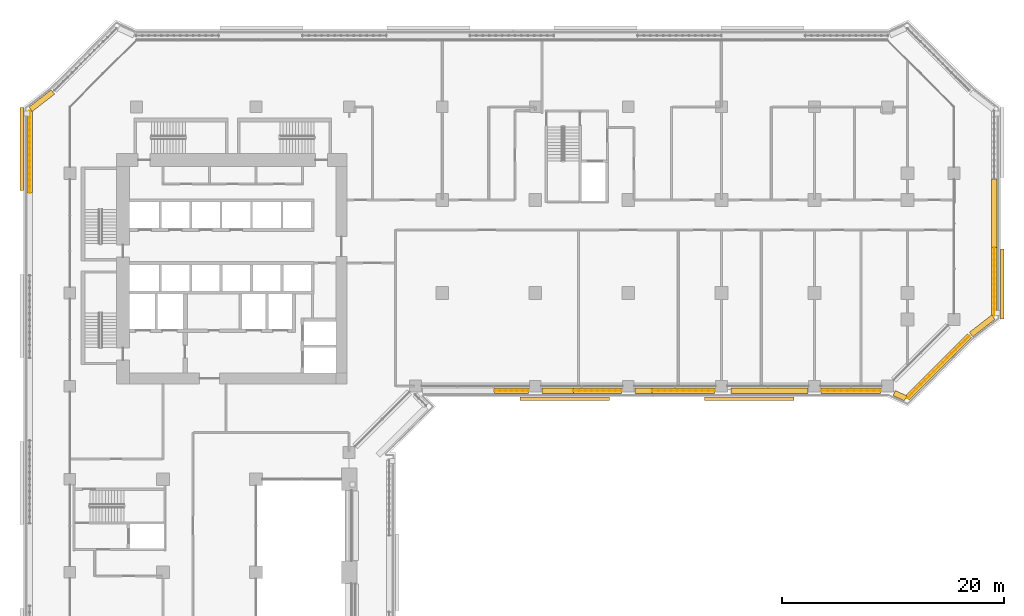
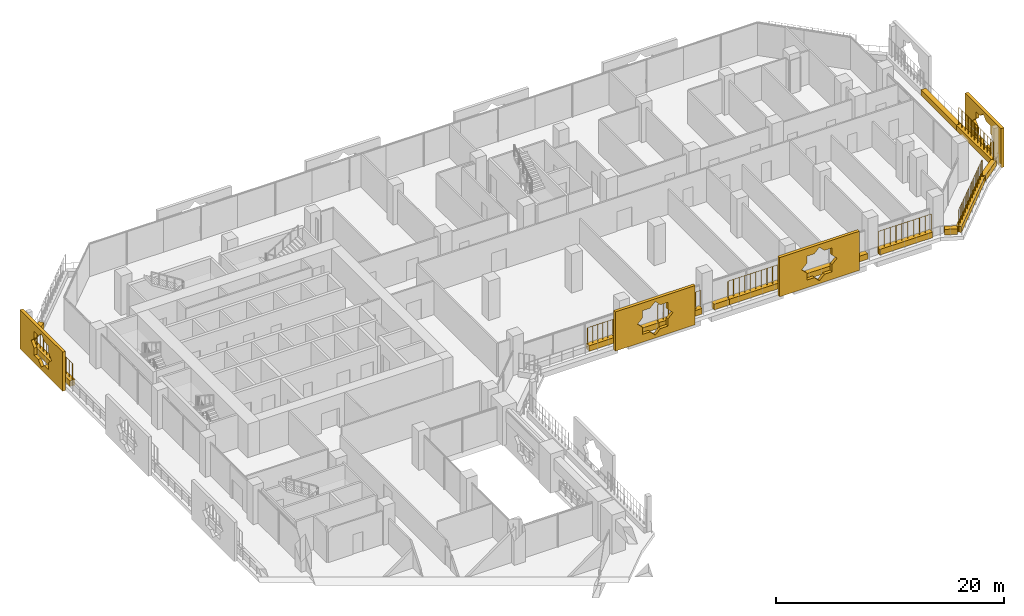
# One storey, part 24 of 27: 18 coverings, 7 railings.
"""IFC4 building model written with IfcOpenShell, lengths in metres."""

from ifc_helpers import new_model, si_unit, direction, frame, origin, origin_2d, place, context, subcontext, project, spatial, polyline, rectangle, circle, outline, extrude, material, material_profile, profile_set, type_object, element, save


model = new_model("IFC4")

# Units and contexts
model_context = context("Model", 3, precision=1e-05, world=origin(), true_north=direction((0.0, 1.0)))
body_context = subcontext(model_context, "Body", "Model", "MODEL_VIEW")
ifc_project = project(units=[si_unit("LENGTHUNIT", "METRE"), si_unit("AREAUNIT", "SQUARE_METRE"), si_unit("VOLUMEUNIT", "CUBIC_METRE"), si_unit("PLANEANGLEUNIT", "RADIAN"), si_unit("MASSUNIT", "GRAM", prefix="KILO")], contexts=[model_context])

# Site, building, storey
site_placement = place(None, origin())
site = spatial("IfcSite", under=ifc_project, at=site_placement, CompositionType="ELEMENT")
building_placement = place(site_placement, origin())
building = spatial("IfcBuilding", under=site, at=building_placement, Name="Kawkab Arch Medical Tower", CompositionType="ELEMENT")
storey_placement = place(building_placement, frame((0.0, 0.0, 103.0)))
storey = spatial("IfcBuildingStorey", under=building, at=storey_placement, Name="L23", CompositionType="ELEMENT", Elevation=103.0)

# Coverings
ifc_material_1 = material(Name="Bronze anodised aluminium mashrabiya panel, eight-point star pattern", Category="aluminium")
ifc_material_profile_1 = material_profile(ifc_material_1, outline(polyline([(-3.14990234375, -2.10009765625), (3.14990234375, -2.10009765625), (3.14990234375, 2.10009765625), (-3.14990234375, 2.10009765625), (-3.14990234375, -2.10009765625)]), holes=[polyline([(1.800048828125, 0.0), (1.272705078125, 0.527099609375), (1.272705078125, 1.272705078125), (0.527099609375, 1.272705078125), (0.0, 1.800048828125), (-0.527099609375, 1.272705078125), (-1.272705078125, 1.272705078125), (-1.272705078125, 0.527099609375), (-1.800048828125, 0.0), (-1.272705078125, -0.527099609375), (-1.272705078125, -1.272705078125), (-0.527099609375, -1.272705078125), (0.0, -1.800048828125), (0.527099609375, -1.272705078125), (1.272705078125, -1.272705078125), (1.272705078125, -0.527099609375), (1.800048828125, 0.0)])]), Name="Mashrabiya panel 6300x4200")
ifc_profile_set_1 = profile_set([ifc_material_profile_1], Name="Bronze anodised aluminium mashrabiya panel, eight-point star pattern")
covering_type_1 = type_object("IfcCoveringType", Name="Mashrabiya panel 6300 x 4200", PredefinedType="USERDEFINED", material=ifc_profile_set_1)
covering_1_placement = place(storey_placement, frame((84.0, -15.976806640625, 1.699951171875), z_axis=(1.0, 0.0, 0.0), x_axis=(0.0, 1.0, 0.0)))
element("IfcCovering", 1, at=covering_1_placement, inside=storey, type_object=covering_type_1, Name="Mashrabiya panel L23.LOG-01-02.11", ObjectType="SCREEN", PredefinedType="USERDEFINED", context=body_context, shape_type="SweptSolid", body=[
    extrude(outline(polyline([(-3.14990234375, -2.10009765625), (3.14990234375, -2.10009765625), (3.14990234375, 2.10009765625), (-3.14990234375, 2.10009765625), (-3.14990234375, -2.10009765625)]), holes=[polyline([(1.800048828125, 0.0), (1.272705078125, 0.527099609375), (1.272705078125, 1.272705078125), (0.527099609375, 1.272705078125), (0.0, 1.800048828125), (-0.527099609375, 1.272705078125), (-1.272705078125, 1.272705078125), (-1.272705078125, 0.527099609375), (-1.800048828125, 0.0), (-1.272705078125, -0.527099609375), (-1.272705078125, -1.272705078125), (-0.527099609375, -1.272705078125), (0.0, -1.800048828125), (0.527099609375, -1.272705078125), (1.272705078125, -1.272705078125), (1.272705078125, -0.527099609375), (1.800048828125, 0.0)])]), origin(), (0.0, 0.0, 1.0), 0.300048828125),
])
ifc_material_2 = material(Name="Bronze anodised aluminium mashrabiya panel, eight-point star pattern", Category="aluminium")
ifc_material_profile_2 = material_profile(ifc_material_2, outline(polyline([(-3.75, -2.10009765625), (3.75, -2.10009765625), (3.75, 2.10009765625), (-3.75, 2.10009765625), (-3.75, -2.10009765625)]), holes=[polyline([(1.800048828125, 0.0), (1.272705078125, 0.527099609375), (1.272705078125, 1.272705078125), (0.527099609375, 1.272705078125), (0.0, 1.800048828125), (-0.527099609375, 1.272705078125), (-1.272705078125, 1.272705078125), (-1.272705078125, 0.527099609375), (-1.800048828125, 0.0), (-1.272705078125, -0.527099609375), (-1.272705078125, -1.272705078125), (-0.527099609375, -1.272705078125), (0.0, -1.800048828125), (0.527099609375, -1.272705078125), (1.272705078125, -1.272705078125), (1.272705078125, -0.527099609375), (1.800048828125, 0.0)])]), Name="Mashrabiya panel 7500x4200")
ifc_profile_set_2 = profile_set([ifc_material_profile_2], Name="Bronze anodised aluminium mashrabiya panel, eight-point star pattern")
covering_type_2 = type_object("IfcCoveringType", Name="Mashrabiya panel 7500 x 4200", PredefinedType="USERDEFINED", material=ifc_profile_set_2)
covering_2_placement = place(storey_placement, frame((-4.199951171875, -3.795654296875, 1.699951171875), z_axis=(-1.0, 0.0, 0.0), x_axis=(0.0, -1.0, 0.0)))
element("IfcCovering", 2, at=covering_2_placement, inside=storey, type_object=covering_type_2, Name="Mashrabiya panel L23.LOG-01-02.5", ObjectType="SCREEN", PredefinedType="USERDEFINED", context=body_context, shape_type="SweptSolid", body=[
    extrude(outline(polyline([(-3.75, -2.10009765625), (3.75, -2.10009765625), (3.75, 2.10009765625), (-3.75, 2.10009765625), (-3.75, -2.10009765625)]), holes=[polyline([(1.800048828125, 0.0), (1.272705078125, 0.527099609375), (1.272705078125, 1.272705078125), (0.527099609375, 1.272705078125), (0.0, 1.800048828125), (-0.527099609375, 1.272705078125), (-1.272705078125, 1.272705078125), (-1.272705078125, 0.527099609375), (-1.800048828125, 0.0), (-1.272705078125, -0.527099609375), (-1.272705078125, -1.272705078125), (-0.527099609375, -1.272705078125), (0.0, -1.800048828125), (0.527099609375, -1.272705078125), (1.272705078125, -1.272705078125), (1.272705078125, -0.527099609375), (1.800048828125, 0.0)])]), origin(), (0.0, 0.0, 1.0), 0.300048828125),
])
ifc_material_3 = material(Name="Bronze anodised aluminium mashrabiya panel, eight-point star pattern", Category="aluminium")
ifc_material_profile_3 = material_profile(ifc_material_3, outline(polyline([(-4.050048828125, -2.10009765625), (4.050048828125, -2.10009765625), (4.050048828125, 2.10009765625), (-4.050048828125, 2.10009765625), (-4.050048828125, -2.10009765625)]), holes=[polyline([(1.800048828125, 0.0), (1.272705078125, 0.527099609375), (1.272705078125, 1.272705078125), (0.527099609375, 1.272705078125), (0.0, 1.800048828125), (-0.527099609375, 1.272705078125), (-1.272705078125, 1.272705078125), (-1.272705078125, 0.527099609375), (-1.800048828125, 0.0), (-1.272705078125, -0.527099609375), (-1.272705078125, -1.272705078125), (-0.527099609375, -1.272705078125), (0.0, -1.800048828125), (0.527099609375, -1.272705078125), (1.272705078125, -1.272705078125), (1.272705078125, -0.527099609375), (1.800048828125, 0.0)])]), Name="Mashrabiya panel 8100x4200")
ifc_profile_set_3 = profile_set([ifc_material_profile_3], Name="Bronze anodised aluminium mashrabiya panel, eight-point star pattern")
covering_type_3 = type_object("IfcCoveringType", Name="Mashrabiya panel 8100 x 4200", PredefinedType="USERDEFINED", material=ifc_profile_set_3)
for number, where, z_axis, x_axis, name in (
    (3, (61.31640625, -26.199951171875, 1.699951171875), (0.0, -1.0, 0.0), (1.0, 0.0, 0.0), "Mashrabiya panel L23.LOG-01-02.12"),
    (4, (44.66845703125, -26.199951171875, 1.699951171875), (0.0, -1.0, 0.0), (1.0, 0.0, 0.0), "Mashrabiya panel L23.LOG-01-02.13"),
):
    element("IfcCovering", number, at=place(storey_placement, frame(where, z_axis=z_axis, x_axis=x_axis)), inside=storey, type_object=covering_type_3, Name=name, ObjectType="SCREEN", PredefinedType="USERDEFINED", context=body_context, shape_type="SweptSolid", body=[
        extrude(outline(polyline([(-4.050048828125, -2.10009765625), (4.050048828125, -2.10009765625), (4.050048828125, 2.10009765625), (-4.050048828125, 2.10009765625), (-4.050048828125, -2.10009765625)]), holes=[polyline([(1.800048828125, 0.0), (1.272705078125, 0.527099609375), (1.272705078125, 1.272705078125), (0.527099609375, 1.272705078125), (0.0, 1.800048828125), (-0.527099609375, 1.272705078125), (-1.272705078125, 1.272705078125), (-1.272705078125, 0.527099609375), (-1.800048828125, 0.0), (-1.272705078125, -0.527099609375), (-1.272705078125, -1.272705078125), (-0.527099609375, -1.272705078125), (0.0, -1.800048828125), (0.527099609375, -1.272705078125), (1.272705078125, -1.272705078125), (1.272705078125, -0.527099609375), (1.800048828125, 0.0)])]), origin(), (0.0, 0.0, 1.0), 0.300048828125),
    ])
ifc_material_4 = material(Name="Planting soil in a precast trough", Category="concrete")
ifc_material_profile_4 = material_profile(ifc_material_4, rectangle(XDim=0.5, YDim=0.60009765625, at=origin_2d()), Name="Trough 500x600")
ifc_profile_set_4 = profile_set([ifc_material_profile_4], Name="Planting soil in a precast trough")
covering_type_4 = type_object("IfcCoveringType", Name="Planter trough 500 x 600", PredefinedType="USERDEFINED", material=ifc_profile_set_4)
covering_3_placement = place(storey_placement, frame((-3.6201171875, -7.7451171875, 0.300048828125), z_axis=(0.0, 1.0, 0.0), x_axis=(-1.0, 0.0, 0.0)))
element("IfcCovering", 5, at=covering_3_placement, inside=storey, type_object=covering_type_4, Name="Planter L23.LOG-01-02.13", ObjectType="PLANTER", PredefinedType="USERDEFINED", context=body_context, shape_type="SweptSolid", body=[
    extrude(rectangle(XDim=0.5, YDim=0.60009765625, at=origin_2d()), origin(), (0.0, 0.0, 1.0), 7.361083984375),
])
covering_4_placement = place(storey_placement, frame((-3.541015625, -0.221923828125, 0.300048828125), z_axis=(0.789274742246, 0.61404021143, 0.0), x_axis=(-0.61404021143, 0.789274742246, 0.0)))
element("IfcCovering", 6, at=covering_4_placement, inside=storey, type_object=covering_type_4, Name="Planter L23.LOG-01-02.14", ObjectType="PLANTER", PredefinedType="USERDEFINED", context=body_context, shape_type="SweptSolid", body=[
    extrude(rectangle(XDim=0.5, YDim=0.60009765625, at=origin_2d()), origin(), (0.0, 0.0, 1.0), 2.54541015625),
])
covering_5_placement = place(storey_placement, frame((83.419921875, -6.4951171875, 0.300048828125), z_axis=(0.0, -1.0, 0.0), x_axis=(1.0, 0.0, 0.0)))
element("IfcCovering", 7, at=covering_5_placement, inside=storey, type_object=covering_type_4, Name="Planter L23.LOG-01-02.30", ObjectType="PLANTER", PredefinedType="USERDEFINED", context=body_context, shape_type="SweptSolid", body=[
    extrude(rectangle(XDim=0.5, YDim=0.60009765625, at=origin_2d()), origin(), (0.0, 0.0, 1.0), 6.2099609375),
])
covering_6_placement = place(storey_placement, frame((83.419921875, -12.705078125, 0.300048828125), z_axis=(0.0, -1.0, 0.0), x_axis=(1.0, 0.0, 0.0)))
element("IfcCovering", 8, at=covering_6_placement, inside=storey, type_object=covering_type_4, Name="Planter L23.LOG-01-02.31", ObjectType="PLANTER", PredefinedType="USERDEFINED", context=body_context, shape_type="SweptSolid", body=[
    extrude(rectangle(XDim=0.5, YDim=0.60009765625, at=origin_2d()), origin(), (0.0, 0.0, 1.0), 6.11083984375),
])
covering_7_placement = place(storey_placement, frame((83.341064453125, -18.97802734375, 0.300048828125), z_axis=(-0.789274742246, -0.61404021143, 0.0), x_axis=(0.61404021143, -0.789274742246, 0.0)))
element("IfcCovering", 9, at=covering_7_placement, inside=storey, type_object=covering_type_4, Name="Planter L23.LOG-01-02.32", ObjectType="PLANTER", PredefinedType="USERDEFINED", context=body_context, shape_type="SweptSolid", body=[
    extrude(rectangle(XDim=0.5, YDim=0.60009765625, at=origin_2d()), origin(), (0.0, 0.0, 1.0), 2.54541015625),
])
covering_8_placement = place(storey_placement, frame((81.18310546875, -20.673095703125, 0.300048828125), z_axis=(-0.70712219479, -0.707091367247, 0.0), x_axis=(0.707091367247, -0.70712219479, 0.0)))
element("IfcCovering", 10, at=covering_8_placement, inside=storey, type_object=covering_type_4, Name="Planter L23.LOG-01-02.33", ObjectType="PLANTER", PredefinedType="USERDEFINED", context=body_context, shape_type="SweptSolid", body=[
    extrude(rectangle(XDim=0.5, YDim=0.60009765625, at=origin_2d()), origin(), (0.0, 0.0, 1.0), 7.919677734375),
])
covering_9_placement = place(storey_placement, frame((75.4208984375, -26.302001953125, 0.300048828125), z_axis=(-0.90986596287, 0.414902313335, 0.0), x_axis=(-0.414902313335, -0.90986596287, 0.0)))
element("IfcCovering", 11, at=covering_9_placement, inside=storey, type_object=covering_type_4, Name="Planter L23.LOG-01-02.34", ObjectType="PLANTER", PredefinedType="USERDEFINED", context=body_context, shape_type="SweptSolid", body=[
    extrude(rectangle(XDim=0.5, YDim=0.60009765625, at=origin_2d()), origin(), (0.0, 0.0, 1.0), 1.137451171875),
])
covering_10_placement = place(storey_placement, frame((73.169921875, -25.6201171875, 0.300048828125), z_axis=(-1.0, 0.0, 0.0), x_axis=(0.0, -1.0, 0.0)))
element("IfcCovering", 12, at=covering_10_placement, inside=storey, type_object=covering_type_4, Name="Planter L23.LOG-01-02.35", ObjectType="PLANTER", PredefinedType="USERDEFINED", context=body_context, shape_type="SweptSolid", body=[
    extrude(rectangle(XDim=0.5, YDim=0.60009765625, at=origin_2d()), origin(), (0.0, 0.0, 1.0), 5.364990234375),
])
covering_11_placement = place(storey_placement, frame((66.594970703125, -25.6201171875, 0.300048828125), z_axis=(-1.0, 0.0, 0.0), x_axis=(0.0, -1.0, 0.0)))
element("IfcCovering", 13, at=covering_11_placement, inside=storey, type_object=covering_type_4, Name="Planter L23.LOG-01-02.36", ObjectType="PLANTER", PredefinedType="USERDEFINED", context=body_context, shape_type="SweptSolid", body=[
    extrude(rectangle(XDim=0.5, YDim=0.60009765625, at=origin_2d()), origin(), (0.0, 0.0, 1.0), 6.916015625),
])
covering_12_placement = place(storey_placement, frame((58.195068359375, -25.6201171875, 0.300048828125), z_axis=(-1.0, 0.0, 0.0), x_axis=(0.0, -1.0, 0.0)))
element("IfcCovering", 14, at=covering_12_placement, inside=storey, type_object=covering_type_4, Name="Planter L23.LOG-01-02.37", ObjectType="PLANTER", PredefinedType="USERDEFINED", context=body_context, shape_type="SweptSolid", body=[
    extrude(rectangle(XDim=0.5, YDim=0.60009765625, at=origin_2d()), origin(), (0.0, 0.0, 1.0), 5.64013671875),
])
covering_13_placement = place(storey_placement, frame((52.554931640625, -25.6201171875, 0.300048828125), z_axis=(-1.0, 0.0, 0.0), x_axis=(0.0, -1.0, 0.0)))
element("IfcCovering", 15, at=covering_13_placement, inside=storey, type_object=covering_type_4, Name="Planter L23.LOG-01-02.38", ObjectType="PLANTER", PredefinedType="USERDEFINED", context=body_context, shape_type="SweptSolid", body=[
    extrude(rectangle(XDim=0.5, YDim=0.60009765625, at=origin_2d()), origin(), (0.0, 0.0, 1.0), 1.550048828125),
])
covering_14_placement = place(storey_placement, frame((49.794921875, -25.6201171875, 0.300048828125), z_axis=(-1.0, 0.0, 0.0), x_axis=(0.0, -1.0, 0.0)))
element("IfcCovering", 16, at=covering_14_placement, inside=storey, type_object=covering_type_4, Name="Planter L23.LOG-01-02.39", ObjectType="PLANTER", PredefinedType="USERDEFINED", context=body_context, shape_type="SweptSolid", body=[
    extrude(rectangle(XDim=0.5, YDim=0.60009765625, at=origin_2d()), origin(), (0.0, 0.0, 1.0), 4.363037109375),
])
covering_15_placement = place(storey_placement, frame((45.431884765625, -25.6201171875, 0.300048828125), z_axis=(-1.0, 0.0, 0.0), x_axis=(0.0, -1.0, 0.0)))
element("IfcCovering", 17, at=covering_15_placement, inside=storey, type_object=covering_type_4, Name="Planter L23.LOG-01-02.40", ObjectType="PLANTER", PredefinedType="USERDEFINED", context=body_context, shape_type="SweptSolid", body=[
    extrude(rectangle(XDim=0.5, YDim=0.60009765625, at=origin_2d()), origin(), (0.0, 0.0, 1.0), 2.826904296875),
])
covering_16_placement = place(storey_placement, frame((41.39501953125, -25.6201171875, 0.300048828125), z_axis=(-1.0, 0.0, 0.0), x_axis=(0.0, -1.0, 0.0)))
element("IfcCovering", 18, at=covering_16_placement, inside=storey, type_object=covering_type_4, Name="Planter L23.LOG-01-02.41", ObjectType="PLANTER", PredefinedType="USERDEFINED", context=body_context, shape_type="SweptSolid", body=[
    extrude(rectangle(XDim=0.5, YDim=0.60009765625, at=origin_2d()), origin(), (0.0, 0.0, 1.0), 3.0869140625),
])

# Railings
ifc_material_5 = material(Name="Bronze anodised aluminium trellis for climbing plants", Category="aluminium")
railing_type = type_object("IfcRailingType", Name="Planting trellis 2400", PredefinedType="USERDEFINED", material=ifc_material_5)
railing_1_placement = place(storey_placement, frame((-3.6201171875, -7.7451171875, 0.0)))
element("IfcRailing", 19, at=railing_1_placement, inside=storey, type_object=railing_type, Name="Planting trellis L23.LOG-01-02.13", ObjectType="TRELLIS", PredefinedType="USERDEFINED", context=body_context, shape_type="SweptSolid", body=[
    extrude(circle(Radius=0.01513671875, at=origin_2d()), frame((0.0, 0.0, 2.384765625), z_axis=(0.0, 1.0, 0.0), x_axis=(-1.0, 0.0, 0.0)), (0.0, 0.0, 1.0), 7.361083984375),
    extrude(circle(Radius=0.030029296875, at=origin_2d()), origin(), (0.0, 0.0, 1.0), 2.369873046875),
    extrude(circle(Radius=0.030029296875, at=origin_2d()), frame((0.0, 0.566162109375, 0.0)), (0.0, 0.0, 1.0), 2.369873046875),
    extrude(circle(Radius=0.030029296875, at=origin_2d()), frame((0.0, 1.132568359375, 0.0)), (0.0, 0.0, 1.0), 2.369873046875),
    extrude(circle(Radius=0.030029296875, at=origin_2d()), frame((0.0, 1.69873046875, 0.0)), (0.0, 0.0, 1.0), 2.369873046875),
    extrude(circle(Radius=0.030029296875, at=origin_2d()), frame((0.0, 2.264892578125, 0.0)), (0.0, 0.0, 1.0), 2.369873046875),
    extrude(circle(Radius=0.030029296875, at=origin_2d()), frame((0.0, 2.831298828125, 0.0)), (0.0, 0.0, 1.0), 2.369873046875),
    extrude(circle(Radius=0.030029296875, at=origin_2d()), frame((0.0, 3.3974609375, 0.0)), (0.0, 0.0, 1.0), 2.369873046875),
    extrude(circle(Radius=0.030029296875, at=origin_2d()), frame((0.0, 3.963623046875, 0.0)), (0.0, 0.0, 1.0), 2.369873046875),
    extrude(circle(Radius=0.030029296875, at=origin_2d()), frame((0.0, 4.52978515625, 0.0)), (0.0, 0.0, 1.0), 2.369873046875),
    extrude(circle(Radius=0.030029296875, at=origin_2d()), frame((0.0, 5.09619140625, 0.0)), (0.0, 0.0, 1.0), 2.369873046875),
    extrude(circle(Radius=0.030029296875, at=origin_2d()), frame((0.0, 5.662353515625, 0.0)), (0.0, 0.0, 1.0), 2.369873046875),
    extrude(circle(Radius=0.030029296875, at=origin_2d()), frame((0.0, 6.228515625, 0.0)), (0.0, 0.0, 1.0), 2.369873046875),
    extrude(circle(Radius=0.030029296875, at=origin_2d()), frame((0.0, 6.794921875, 0.0)), (0.0, 0.0, 1.0), 2.369873046875),
    extrude(circle(Radius=0.030029296875, at=origin_2d()), frame((0.0, 7.361083984375, 0.0)), (0.0, 0.0, 1.0), 2.369873046875),
])
railing_2_placement = place(storey_placement, frame((83.419921875, -12.705078125, 0.0)))
element("IfcRailing", 20, at=railing_2_placement, inside=storey, type_object=railing_type, Name="Planting trellis L23.LOG-01-02.31", ObjectType="TRELLIS", PredefinedType="USERDEFINED", context=body_context, shape_type="SweptSolid", body=[
    extrude(circle(Radius=0.01513671875, at=origin_2d()), frame((0.0, 0.0, 2.384765625), z_axis=(0.0, -1.0, 0.0), x_axis=(1.0, 0.0, 0.0)), (0.0, 0.0, 1.0), 6.11083984375),
    extrude(circle(Radius=0.030029296875, at=origin_2d()), origin(), (0.0, 0.0, 1.0), 2.369873046875),
    extrude(circle(Radius=0.030029296875, at=origin_2d()), frame((0.0, -0.555419921875, 0.0)), (0.0, 0.0, 1.0), 2.369873046875),
    extrude(circle(Radius=0.030029296875, at=origin_2d()), frame((0.0, -1.111083984375, 0.0)), (0.0, 0.0, 1.0), 2.369873046875),
    extrude(circle(Radius=0.030029296875, at=origin_2d()), frame((0.0, -1.66650390625, 0.0)), (0.0, 0.0, 1.0), 2.369873046875),
    extrude(circle(Radius=0.030029296875, at=origin_2d()), frame((0.0, -2.22216796875, 0.0)), (0.0, 0.0, 1.0), 2.369873046875),
    extrude(circle(Radius=0.030029296875, at=origin_2d()), frame((0.0, -2.777587890625, 0.0)), (0.0, 0.0, 1.0), 2.369873046875),
    extrude(circle(Radius=0.030029296875, at=origin_2d()), frame((0.0, -3.333251953125, 0.0)), (0.0, 0.0, 1.0), 2.369873046875),
    extrude(circle(Radius=0.030029296875, at=origin_2d()), frame((0.0, -3.888671875, 0.0)), (0.0, 0.0, 1.0), 2.369873046875),
    extrude(circle(Radius=0.030029296875, at=origin_2d()), frame((0.0, -4.4443359375, 0.0)), (0.0, 0.0, 1.0), 2.369873046875),
    extrude(circle(Radius=0.030029296875, at=origin_2d()), frame((0.0, -4.999755859375, 0.0)), (0.0, 0.0, 1.0), 2.369873046875),
    extrude(circle(Radius=0.030029296875, at=origin_2d()), frame((0.0, -5.555419921875, 0.0)), (0.0, 0.0, 1.0), 2.369873046875),
    extrude(circle(Radius=0.030029296875, at=origin_2d()), frame((0.0, -6.11083984375, 0.0)), (0.0, 0.0, 1.0), 2.369873046875),
])
railing_3_placement = place(storey_placement, frame((81.18310546875, -20.673095703125, 0.0)))
element("IfcRailing", 21, at=railing_3_placement, inside=storey, type_object=railing_type, Name="Planting trellis L23.LOG-01-02.33", ObjectType="TRELLIS", PredefinedType="USERDEFINED", context=body_context, shape_type="SweptSolid", body=[
    extrude(circle(Radius=0.01513671875, at=origin_2d()), frame((0.0, 0.0, 2.384765625), z_axis=(-0.70712219479, -0.707091367247, 0.0), x_axis=(0.707091367247, -0.70712219479, 0.0)), (0.0, 0.0, 1.0), 7.919677734375),
    extrude(circle(Radius=0.030029296875, at=origin_2d()), origin(), (0.0, 0.0, 1.0), 2.369873046875),
    extrude(circle(Radius=0.030029296875, at=origin_2d()), frame((-0.39990234375, -0.39990234375, 0.0)), (0.0, 0.0, 1.0), 2.369873046875),
    extrude(circle(Radius=0.030029296875, at=origin_2d()), frame((-0.800048828125, -0.800048828125, 0.0)), (0.0, 0.0, 1.0), 2.369873046875),
    extrude(circle(Radius=0.030029296875, at=origin_2d()), frame((-1.199951171875, -1.199951171875, 0.0)), (0.0, 0.0, 1.0), 2.369873046875),
    extrude(circle(Radius=0.030029296875, at=origin_2d()), frame((-1.60009765625, -1.599853515625, 0.0)), (0.0, 0.0, 1.0), 2.369873046875),
    extrude(circle(Radius=0.030029296875, at=origin_2d()), frame((-2.0, -2.0, 0.0)), (0.0, 0.0, 1.0), 2.369873046875),
    extrude(circle(Radius=0.030029296875, at=origin_2d()), frame((-2.400146484375, -2.39990234375, 0.0)), (0.0, 0.0, 1.0), 2.369873046875),
    extrude(circle(Radius=0.030029296875, at=origin_2d()), frame((-2.800048828125, -2.7998046875, 0.0)), (0.0, 0.0, 1.0), 2.369873046875),
    extrude(circle(Radius=0.030029296875, at=origin_2d()), frame((-3.199951171875, -3.199951171875, 0.0)), (0.0, 0.0, 1.0), 2.369873046875),
    extrude(circle(Radius=0.030029296875, at=origin_2d()), frame((-3.60009765625, -3.599853515625, 0.0)), (0.0, 0.0, 1.0), 2.369873046875),
    extrude(circle(Radius=0.030029296875, at=origin_2d()), frame((-4.0, -4.0, 0.0)), (0.0, 0.0, 1.0), 2.369873046875),
    extrude(circle(Radius=0.030029296875, at=origin_2d()), frame((-4.400146484375, -4.39990234375, 0.0)), (0.0, 0.0, 1.0), 2.369873046875),
    extrude(circle(Radius=0.030029296875, at=origin_2d()), frame((-4.800048828125, -4.7998046875, 0.0)), (0.0, 0.0, 1.0), 2.369873046875),
    extrude(circle(Radius=0.030029296875, at=origin_2d()), frame((-5.2001953125, -5.199951171875, 0.0)), (0.0, 0.0, 1.0), 2.369873046875),
    extrude(circle(Radius=0.030029296875, at=origin_2d()), frame((-5.60009765625, -5.599853515625, 0.0)), (0.0, 0.0, 1.0), 2.369873046875),
])
railing_4_placement = place(storey_placement, frame((73.169921875, -25.6201171875, 0.0)))
element("IfcRailing", 22, at=railing_4_placement, inside=storey, type_object=railing_type, Name="Planting trellis L23.LOG-01-02.35", ObjectType="TRELLIS", PredefinedType="USERDEFINED", context=body_context, shape_type="SweptSolid", body=[
    extrude(circle(Radius=0.01513671875, at=origin_2d()), frame((0.0, 0.0, 2.384765625), z_axis=(-1.0, 0.0, 0.0), x_axis=(0.0, -1.0, 0.0)), (0.0, 0.0, 1.0), 5.364990234375),
    extrude(circle(Radius=0.030029296875, at=origin_2d()), origin(), (0.0, 0.0, 1.0), 2.369873046875),
    extrude(circle(Radius=0.030029296875, at=origin_2d()), frame((-0.59619140625, 0.0, 0.0)), (0.0, 0.0, 1.0), 2.369873046875),
    extrude(circle(Radius=0.030029296875, at=origin_2d()), frame((-1.192138671875, 0.0, 0.0)), (0.0, 0.0, 1.0), 2.369873046875),
    extrude(circle(Radius=0.030029296875, at=origin_2d()), frame((-1.788330078125, 0.0, 0.0)), (0.0, 0.0, 1.0), 2.369873046875),
    extrude(circle(Radius=0.030029296875, at=origin_2d()), frame((-2.384521484375, 0.0, 0.0)), (0.0, 0.0, 1.0), 2.369873046875),
    extrude(circle(Radius=0.030029296875, at=origin_2d()), frame((-2.98046875, 0.0, 0.0)), (0.0, 0.0, 1.0), 2.369873046875),
    extrude(circle(Radius=0.030029296875, at=origin_2d()), frame((-3.57666015625, 0.0, 0.0)), (0.0, 0.0, 1.0), 2.369873046875),
    extrude(circle(Radius=0.030029296875, at=origin_2d()), frame((-4.1728515625, 0.0, 0.0)), (0.0, 0.0, 1.0), 2.369873046875),
    extrude(circle(Radius=0.030029296875, at=origin_2d()), frame((-4.768798828125, 0.0, 0.0)), (0.0, 0.0, 1.0), 2.369873046875),
    extrude(circle(Radius=0.030029296875, at=origin_2d()), frame((-5.364990234375, 0.0, 0.0)), (0.0, 0.0, 1.0), 2.369873046875),
])
railing_5_placement = place(storey_placement, frame((58.195068359375, -25.6201171875, 0.0)))
element("IfcRailing", 23, at=railing_5_placement, inside=storey, type_object=railing_type, Name="Planting trellis L23.LOG-01-02.37", ObjectType="TRELLIS", PredefinedType="USERDEFINED", context=body_context, shape_type="SweptSolid", body=[
    extrude(circle(Radius=0.01513671875, at=origin_2d()), frame((0.0, 0.0, 2.384765625), z_axis=(-1.0, 0.0, 0.0), x_axis=(0.0, -1.0, 0.0)), (0.0, 0.0, 1.0), 5.64013671875),
    extrude(circle(Radius=0.030029296875, at=origin_2d()), origin(), (0.0, 0.0, 1.0), 2.369873046875),
    extrude(circle(Radius=0.030029296875, at=origin_2d()), frame((-0.56396484375, 0.0, 0.0)), (0.0, 0.0, 1.0), 2.369873046875),
    extrude(circle(Radius=0.030029296875, at=origin_2d()), frame((-1.1279296875, 0.0, 0.0)), (0.0, 0.0, 1.0), 2.369873046875),
    extrude(circle(Radius=0.030029296875, at=origin_2d()), frame((-1.692138671875, 0.0, 0.0)), (0.0, 0.0, 1.0), 2.369873046875),
    extrude(circle(Radius=0.030029296875, at=origin_2d()), frame((-2.256103515625, 0.0, 0.0)), (0.0, 0.0, 1.0), 2.369873046875),
    extrude(circle(Radius=0.030029296875, at=origin_2d()), frame((-2.820068359375, 0.0, 0.0)), (0.0, 0.0, 1.0), 2.369873046875),
    extrude(circle(Radius=0.030029296875, at=origin_2d()), frame((-3.384033203125, 0.0, 0.0)), (0.0, 0.0, 1.0), 2.369873046875),
    extrude(circle(Radius=0.030029296875, at=origin_2d()), frame((-3.947998046875, 0.0, 0.0)), (0.0, 0.0, 1.0), 2.369873046875),
    extrude(circle(Radius=0.030029296875, at=origin_2d()), frame((-4.51220703125, 0.0, 0.0)), (0.0, 0.0, 1.0), 2.369873046875),
    extrude(circle(Radius=0.030029296875, at=origin_2d()), frame((-5.076171875, 0.0, 0.0)), (0.0, 0.0, 1.0), 2.369873046875),
    extrude(circle(Radius=0.030029296875, at=origin_2d()), frame((-5.64013671875, 0.0, 0.0)), (0.0, 0.0, 1.0), 2.369873046875),
])
railing_6_placement = place(storey_placement, frame((49.794921875, -25.6201171875, 0.0)))
element("IfcRailing", 24, at=railing_6_placement, inside=storey, type_object=railing_type, Name="Planting trellis L23.LOG-01-02.39", ObjectType="TRELLIS", PredefinedType="USERDEFINED", context=body_context, shape_type="SweptSolid", body=[
    extrude(circle(Radius=0.01513671875, at=origin_2d()), frame((0.0, 0.0, 2.384765625), z_axis=(-1.0, 0.0, 0.0), x_axis=(0.0, -1.0, 0.0)), (0.0, 0.0, 1.0), 4.363037109375),
    extrude(circle(Radius=0.030029296875, at=origin_2d()), origin(), (0.0, 0.0, 1.0), 2.369873046875),
    extrude(circle(Radius=0.030029296875, at=origin_2d()), frame((-0.54541015625, 0.0, 0.0)), (0.0, 0.0, 1.0), 2.369873046875),
    extrude(circle(Radius=0.030029296875, at=origin_2d()), frame((-1.0908203125, 0.0, 0.0)), (0.0, 0.0, 1.0), 2.369873046875),
    extrude(circle(Radius=0.030029296875, at=origin_2d()), frame((-1.63623046875, 0.0, 0.0)), (0.0, 0.0, 1.0), 2.369873046875),
    extrude(circle(Radius=0.030029296875, at=origin_2d()), frame((-2.181640625, 0.0, 0.0)), (0.0, 0.0, 1.0), 2.369873046875),
    extrude(circle(Radius=0.030029296875, at=origin_2d()), frame((-2.726806640625, 0.0, 0.0)), (0.0, 0.0, 1.0), 2.369873046875),
    extrude(circle(Radius=0.030029296875, at=origin_2d()), frame((-3.272216796875, 0.0, 0.0)), (0.0, 0.0, 1.0), 2.369873046875),
    extrude(circle(Radius=0.030029296875, at=origin_2d()), frame((-3.817626953125, 0.0, 0.0)), (0.0, 0.0, 1.0), 2.369873046875),
    extrude(circle(Radius=0.030029296875, at=origin_2d()), frame((-4.363037109375, 0.0, 0.0)), (0.0, 0.0, 1.0), 2.369873046875),
])
railing_7_placement = place(storey_placement, frame((41.39501953125, -25.6201171875, 0.0)))
element("IfcRailing", 25, at=railing_7_placement, inside=storey, type_object=railing_type, Name="Planting trellis L23.LOG-01-02.41", ObjectType="TRELLIS", PredefinedType="USERDEFINED", context=body_context, shape_type="SweptSolid", body=[
    extrude(circle(Radius=0.01513671875, at=origin_2d()), frame((0.0, 0.0, 2.384765625), z_axis=(-1.0, 0.0, 0.0), x_axis=(0.0, -1.0, 0.0)), (0.0, 0.0, 1.0), 3.0869140625),
    extrude(circle(Radius=0.030029296875, at=origin_2d()), origin(), (0.0, 0.0, 1.0), 2.369873046875),
    extrude(circle(Radius=0.030029296875, at=origin_2d()), frame((-0.514404296875, 0.0, 0.0)), (0.0, 0.0, 1.0), 2.369873046875),
    extrude(circle(Radius=0.030029296875, at=origin_2d()), frame((-1.029052734375, 0.0, 0.0)), (0.0, 0.0, 1.0), 2.369873046875),
    extrude(circle(Radius=0.030029296875, at=origin_2d()), frame((-1.54345703125, 0.0, 0.0)), (0.0, 0.0, 1.0), 2.369873046875),
    extrude(circle(Radius=0.030029296875, at=origin_2d()), frame((-2.057861328125, 0.0, 0.0)), (0.0, 0.0, 1.0), 2.369873046875),
    extrude(circle(Radius=0.030029296875, at=origin_2d()), frame((-2.572509765625, 0.0, 0.0)), (0.0, 0.0, 1.0), 2.369873046875),
    extrude(circle(Radius=0.030029296875, at=origin_2d()), frame((-3.0869140625, 0.0, 0.0)), (0.0, 0.0, 1.0), 2.369873046875),
])

save(model, "model.ifc")
